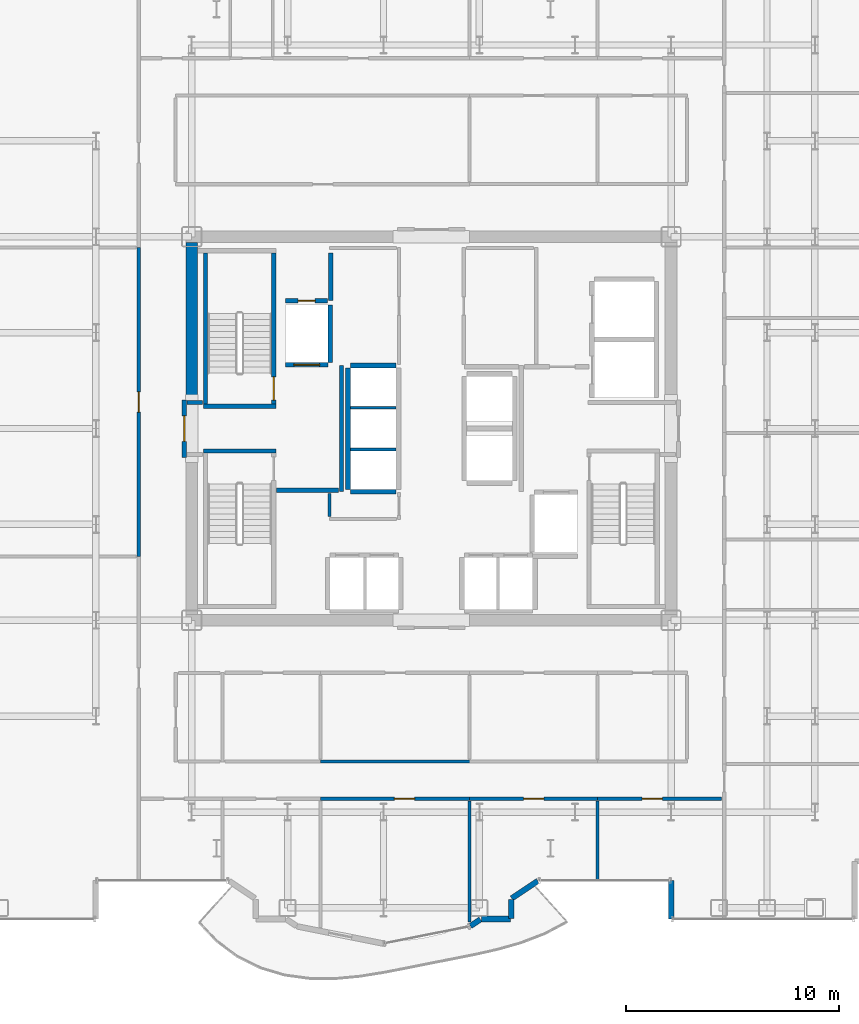
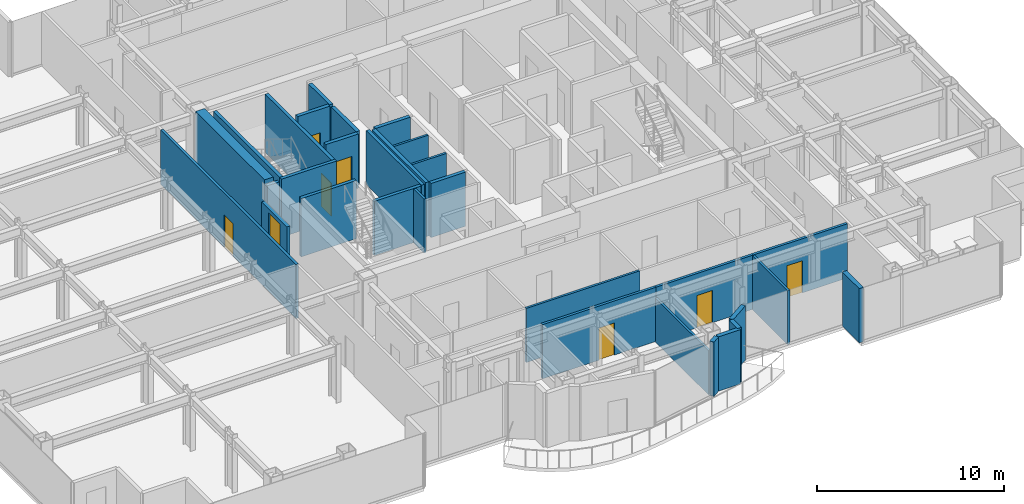
# One storey, part 16 of 22: 31 walls, 8 doors, 8 openings.
"""IFC4 building model written with IfcOpenShell, lengths in metres."""

from ifc_helpers import new_model, si_unit, direction, frame, frame_2d, origin, place, context, subcontext, project, spatial, rectangle, extrude, source, transform, mapped, material, layer, layer_set, type_object, element, fill, save


model = new_model("IFC4")

# Units and contexts
model_context = context("Model", 3, precision=1e-05, world=origin(), true_north=direction((0.0, 1.0)))
body_context = subcontext(model_context, "Body", "Model", "MODEL_VIEW")
ifc_project = project(units=[si_unit("LENGTHUNIT", "METRE"), si_unit("AREAUNIT", "SQUARE_METRE"), si_unit("VOLUMEUNIT", "CUBIC_METRE"), si_unit("PLANEANGLEUNIT", "RADIAN"), si_unit("MASSUNIT", "GRAM", prefix="KILO")], contexts=[model_context])

# Site, building, storey
site_placement = place(None, origin())
site = spatial("IfcSite", under=ifc_project, at=site_placement, CompositionType="ELEMENT")
building_placement = place(site_placement, origin())
building = spatial("IfcBuilding", under=site, at=building_placement, Name="Nefas-Gora Pilgrimage Tower", CompositionType="ELEMENT")
storey_placement = place(building_placement, frame((0.0, 0.0, 179.199951171875)))
storey = spatial("IfcBuildingStorey", under=building, at=storey_placement, Name="L44", CompositionType="ELEMENT", Elevation=179.199951171875)

# Walls
ifc_material_1 = material(Name="Concrete C60/75", Category="concrete")
ifc_layer_1 = layer(ifc_material_1, 0.550048828125)
ifc_layer_set_1 = layer_set([ifc_layer_1], Name="Concrete C60/75")
wall_type_1 = type_object("IfcWallType", Name="SW-CORE-550", PredefinedType="SHEAR", material=ifc_layer_set_1)
shared_shape_1 = source(origin(), body_context, "Body", "SweptSolid", [
    extrude(rectangle(XDim=7.375, YDim=0.550048828125, at=frame_2d((3.6875, 0.0))), origin(), (0.0, 0.0, 1.0), 3.800048828125),
])
wall_1_placement = place(storey_placement, frame((-11.25, 1.35009765625, 0.0), z_axis=(0.0, 0.0, 1.0), x_axis=(0.0, 1.0, 0.0)))
element("IfcWall", 1, at=wall_1_placement, inside=storey, type_object=wall_type_1, Name="L44 Core Shear Wall W-North", PredefinedType="SHEAR", context=body_context, shape_type="MappedRepresentation", body=[
    mapped(shared_shape_1, transform((0.0, 0.0, 0.0), x_axis=(1.0, 0.0, 0.0), y_axis=(0.0, 1.0, 0.0), z_axis=(0.0, 0.0, 1.0), scale=1.0)),
])
ifc_material_2 = material(Name="Precast concrete C40/50", Category="concrete")
ifc_layer_2 = layer(ifc_material_2, 0.260009765625)
ifc_layer_set_2 = layer_set([ifc_layer_2], Name="Precast concrete C40/50")
wall_type_2 = type_object("IfcWallType", Name="EW-PORTAL-260", PredefinedType="SOLIDWALL", material=ifc_layer_set_2)
shared_shape_2 = source(origin(), body_context, "Body", "SweptSolid", [
    extrude(rectangle(XDim=1.800048828125, YDim=0.260009765625, at=frame_2d((0.89990234375, 0.0))), origin(), (0.0, 0.0, 1.0), 3.550048828125),
])
wall_2_placement = place(storey_placement, frame((11.25, -21.219970703125, 0.0), z_axis=(0.0, 0.0, 1.0), x_axis=(0.0, -1.0, 0.0)))
element("IfcWall", 2, at=wall_2_placement, inside=storey, type_object=wall_type_2, Name="L44 Lobe Shoulder Precast Spandrel Pier 1", PredefinedType="SOLIDWALL", context=body_context, shape_type="MappedRepresentation", body=[
    mapped(shared_shape_2, transform((0.0, 0.0, 0.0), x_axis=(1.0, 0.0, 0.0), y_axis=(0.0, 1.0, 0.0), z_axis=(0.0, 0.0, 1.0), scale=1.0)),
])
shared_shape_3 = source(origin(), body_context, "Body", "SweptSolid", [
    extrude(rectangle(XDim=1.468994140625, YDim=0.260009765625, at=frame_2d((0.734375, 0.0))), origin(), (0.0, 0.0, 1.0), 3.550048828125),
])
wall_3_placement = place(storey_placement, frame((3.773193359375, -22.0517578125, 0.0), z_axis=(0.0, 0.0, 1.0), x_axis=(0.831461760506, 0.555581983884, 0.0)))
element("IfcWall", 3, at=wall_3_placement, inside=storey, type_object=wall_type_2, Name="L44 Lobe Shoulder Precast Spandrel Pier 38", PredefinedType="SOLIDWALL", context=body_context, shape_type="MappedRepresentation", body=[
    mapped(shared_shape_3, transform((0.0, 0.0, 0.0), x_axis=(1.0, 0.0, 0.0), y_axis=(0.0, 1.0, 0.0), z_axis=(0.0, 0.0, 1.0), scale=1.0)),
])
shared_shape_4 = source(origin(), body_context, "Body", "SweptSolid", [
    extrude(rectangle(XDim=0.896728515625, YDim=0.260009765625, at=frame_2d((0.4482421875, 0.0))), origin(), (0.0, 0.0, 1.0), 3.550048828125),
])
wall_4_placement = place(storey_placement, frame((3.75, -22.991943359375, 0.0), z_axis=(0.0, 0.0, 1.0), x_axis=(0.0, 1.0, 0.0)))
element("IfcWall", 4, at=wall_4_placement, inside=storey, type_object=wall_type_2, Name="L44 Lobe Shoulder Precast Spandrel Pier 37", PredefinedType="SOLIDWALL", context=body_context, shape_type="MappedRepresentation", body=[
    mapped(shared_shape_4, transform((0.0, 0.0, 0.0), x_axis=(1.0, 0.0, 0.0), y_axis=(0.0, 1.0, 0.0), z_axis=(0.0, 0.0, 1.0), scale=1.0)),
])
shared_shape_5 = source(origin(), body_context, "Body", "SweptSolid", [
    extrude(rectangle(XDim=1.369873046875, YDim=0.260009765625, at=frame_2d((0.68505859375, 0.0))), origin(), (0.0, 0.0, 1.0), 3.550048828125),
])
wall_5_placement = place(storey_placement, frame((2.35205078125, -23.02001953125, 0.0), z_axis=(0.0, 0.0, 1.0), x_axis=(1.0, 0.0, 0.0)))
element("IfcWall", 5, at=wall_5_placement, inside=storey, type_object=wall_type_2, Name="L44 Lobe Shoulder Precast Spandrel Pier 36", PredefinedType="SOLIDWALL", context=body_context, shape_type="MappedRepresentation", body=[
    mapped(shared_shape_5, transform((0.0, 0.0, 0.0), x_axis=(1.0, 0.0, 0.0), y_axis=(0.0, 1.0, 0.0), z_axis=(0.0, 0.0, 1.0), scale=1.0)),
])
shared_shape_6 = source(origin(), body_context, "Body", "SweptSolid", [
    extrude(rectangle(XDim=0.5654296875, YDim=0.260009765625, at=frame_2d((0.28271484375, 0.0))), origin(), (0.0, 0.0, 1.0), 3.550048828125),
])
wall_6_placement = place(storey_placement, frame((1.83056640625, -23.349609375, 0.0), z_axis=(0.0, 0.0, 1.0), x_axis=(0.831651492666, 0.555297933317, 0.0)))
element("IfcWall", 6, at=wall_6_placement, inside=storey, type_object=wall_type_2, Name="L44 Lobe Shoulder Precast Spandrel Pier 35", PredefinedType="SOLIDWALL", context=body_context, shape_type="MappedRepresentation", body=[
    mapped(shared_shape_6, transform((0.0, 0.0, 0.0), x_axis=(1.0, 0.0, 0.0), y_axis=(0.0, 1.0, 0.0), z_axis=(0.0, 0.0, 1.0), scale=1.0)),
])
ifc_material_3 = material(Name="Concrete C45/55", Category="concrete")
ifc_layer_3 = layer(ifc_material_3, 0.199951171875)
ifc_layer_set_3 = layer_set([ifc_layer_3], Name="Concrete C45/55")
wall_type_3 = type_object("IfcWallType", Name="IW-STAIR-200", PredefinedType="SOLIDWALL", material=ifc_layer_set_3)
shared_shape_7 = source(origin(), body_context, "Body", "SweptSolid", [
    extrude(rectangle(XDim=3.39990234375, YDim=0.199951171875, at=frame_2d((1.699951171875, 0.0))), origin(), (0.0, 0.0, 1.0), 3.800048828125),
])
for number, where, z_axis, x_axis, name in (
    (7, (-7.300048828125, 1.050048828125, 0.0), (0.0, 0.0, 1.0), (-1.0, 0.0, 0.0), "L44 Stairwell Shear Wall ST-01-near"),
    (8, (-10.699951171875, -1.050048828125, 0.0), (0.0, 0.0, 1.0), (1.0, 0.0, 0.0), "L44 Stairwell Shear Wall ST-03-near"),
):
    element("IfcWall", number, at=place(storey_placement, frame(where, z_axis=z_axis, x_axis=x_axis)), inside=storey, type_object=wall_type_3, Name=name, PredefinedType="SOLIDWALL", context=body_context, shape_type="MappedRepresentation", body=[
        mapped(shared_shape_7, transform((0.0, 0.0, 0.0), x_axis=(1.0, 0.0, 0.0), y_axis=(0.0, 1.0, 0.0), z_axis=(0.0, 0.0, 1.0), scale=1.0)),
    ])

# Wall, opening, door
shared_shape_8 = source(origin(), body_context, "Body", "SweptSolid", [
    extrude(rectangle(XDim=7.10009765625, YDim=0.199951171875, at=frame_2d((3.550048828125, 0.0))), origin(), (0.0, 0.0, 1.0), 3.800048828125),
])
wall_7_placement = place(storey_placement, frame((-7.39990234375, 1.14990234375, 0.0), z_axis=(0.0, 0.0, 1.0), x_axis=(0.0, 1.0, 0.0)))
wall_7 = element("IfcWall", 9, at=wall_7_placement, inside=storey, type_object=wall_type_3, Name="L44 Stairwell Shear Wall ST-01-left", PredefinedType="SOLIDWALL", context=body_context, shape_type="MappedRepresentation", body=[
    mapped(shared_shape_8, transform((0.0, 0.0, 0.0), x_axis=(1.0, 0.0, 0.0), y_axis=(0.0, 1.0, 0.0), z_axis=(0.0, 0.0, 1.0), scale=1.0)),
])
opening_1_placement = place(wall_7_placement, frame((0.179931640625, 0.0, 0.0)))
opening_1 = element("IfcOpeningElement", 10, at=opening_1_placement, cuts=wall_7, Name="Opening ID-ST1", PredefinedType="OPENING", context=body_context, shape_type="SweptSolid", body=[
    extrude(rectangle(XDim=1.10009765625, YDim=2.14990234375, at=frame_2d((0.550048828125, 1.074951171875))), frame((0.0, 0.10986328125, 0.0), z_axis=(0.0, -1.0, 0.0), x_axis=(1.0, 0.0, 0.0)), (0.0, 0.0, 1.0), 0.219970703125),
])
ifc_material_4 = material(Name="Painted galvanised steel fire stair door", Category="steel")
door_type_1 = type_object("IfcDoorType", Name="DR-INT-STAIR-1100", OperationType="NOTDEFINED", PredefinedType="DOOR", material=ifc_material_4)
shared_shape_9 = source(origin(), body_context, "Body", "SweptSolid", [
    extrude(rectangle(XDim=1.10009765625, YDim=2.14990234375, at=frame_2d((0.550048828125, 1.074951171875))), frame((0.0, 0.02490234375, 0.0), z_axis=(0.0, -1.0, 0.0), x_axis=(1.0, 0.0, 0.0)), (0.0, 0.0, 1.0), 0.050048828125),
])
door_1_placement = place(opening_1_placement, origin())
door_1 = element("IfcDoor", 11, at=door_1_placement, inside=storey, type_object=door_type_1, Name="L44 Protected Exit Stair Door ST-01", OperationType="SINGLE_SWING_RIGHT", OverallHeight=2.14990234375, OverallWidth=1.10009765625, PredefinedType="DOOR", context=body_context, shape_type="MappedRepresentation", body=[
    mapped(shared_shape_9, transform((0.0, 0.0, 0.0), x_axis=(1.0, 0.0, 0.0), y_axis=(0.0, 1.0, 0.0), z_axis=(0.0, 0.0, 1.0), scale=1.0)),
])
fill(opening_1, door_1)

# Wall
wall_8_placement = place(storey_placement, frame((-10.60009765625, 1.14990234375, 0.0), z_axis=(0.0, 0.0, 1.0), x_axis=(0.0, 1.0, 0.0)))
element("IfcWall", 12, at=wall_8_placement, inside=storey, type_object=wall_type_3, Name="L44 Stairwell Shear Wall ST-01-right", PredefinedType="SOLIDWALL", context=body_context, shape_type="MappedRepresentation", body=[
    mapped(shared_shape_8, transform((0.0, 0.0, 0.0), x_axis=(1.0, 0.0, 0.0), y_axis=(0.0, 1.0, 0.0), z_axis=(0.0, 0.0, 1.0), scale=1.0)),
])

# Wall, opening, door
ifc_material_5 = material(Name="Concrete C40/50", Category="concrete")
ifc_layer_4 = layer(ifc_material_5, 0.219970703125)
ifc_layer_set_4 = layer_set([ifc_layer_4], Name="Concrete C40/50")
wall_type_4 = type_object("IfcWallType", Name="IW-SHAFT-220", PredefinedType="SOLIDWALL", material=ifc_layer_set_4)
shared_shape_10 = source(origin(), body_context, "Body", "SweptSolid", [
    extrude(rectangle(XDim=2.0, YDim=0.219970703125, at=frame_2d((1.0, 0.0))), origin(), (0.0, 0.0, 1.0), 3.53515625),
])
wall_9_placement = place(storey_placement, frame((-6.85009765625, 2.989990234375, 0.0), z_axis=(0.0, 0.0, 1.0), x_axis=(1.0, 0.0, 0.0)))
wall_9 = element("IfcWall", 13, at=wall_9_placement, inside=storey, type_object=wall_type_4, Name="L44 Hoistway Wall FFL-01-S", PredefinedType="SOLIDWALL", context=body_context, shape_type="MappedRepresentation", body=[
    mapped(shared_shape_10, transform((0.0, 0.0, 0.0), x_axis=(1.0, 0.0, 0.0), y_axis=(0.0, 1.0, 0.0), z_axis=(0.0, 0.0, 1.0), scale=1.0)),
])
opening_2_placement = place(wall_9_placement, frame((0.39990234375, 0.0, 0.0)))
opening_2 = element("IfcOpeningElement", 14, at=opening_2_placement, cuts=wall_9, Name="Opening LD-FF", PredefinedType="OPENING", context=body_context, shape_type="SweptSolid", body=[
    extrude(rectangle(XDim=1.199951171875, YDim=2.199951171875, at=frame_2d((0.60009765625, 1.10009765625))), frame((0.0, 0.119873046875, 0.0), z_axis=(0.0, -1.0, 0.0), x_axis=(1.0, 0.0, 0.0)), (0.0, 0.0, 1.0), 0.239990234375),
])
ifc_material_6 = material(Name="Fire-service sliding lift landing door")
door_type_2 = type_object("IfcDoorType", Name="DR-LIFT-FSAE-1200", OperationType="SLIDING_TO_LEFT", PredefinedType="DOOR", material=ifc_material_6)
shared_shape_11 = source(origin(), body_context, "Body", "SweptSolid", [
    extrude(rectangle(XDim=1.199951171875, YDim=2.199951171875, at=frame_2d((0.60009765625, 1.10009765625))), frame((0.0, 0.02490234375, 0.0), z_axis=(0.0, -1.0, 0.0), x_axis=(1.0, 0.0, 0.0)), (0.0, 0.0, 1.0), 0.050048828125),
])
door_2_placement = place(opening_2_placement, origin())
door_2 = element("IfcDoor", 15, at=door_2_placement, inside=storey, type_object=door_type_2, Name="L44 Sliding Lift Landing Door FFL-01", OperationType="SLIDING_TO_LEFT", OverallHeight=2.199951171875, OverallWidth=1.199951171875, PredefinedType="DOOR", context=body_context, shape_type="MappedRepresentation", body=[
    mapped(shared_shape_11, transform((0.0, 0.0, 0.0), x_axis=(1.0, 0.0, 0.0), y_axis=(0.0, 1.0, 0.0), z_axis=(0.0, 0.0, 1.0), scale=1.0)),
])
fill(opening_2, door_2)

# Walls
shared_shape_12 = source(origin(), body_context, "Body", "SweptSolid", [
    extrude(rectangle(XDim=2.679931640625, YDim=0.219970703125, at=frame_2d((1.33984375, 0.0))), origin(), (0.0, 0.0, 1.0), 3.53515625),
])
wall_10_placement = place(storey_placement, frame((-4.739990234375, 3.110107421875, 0.0), z_axis=(0.0, 0.0, 1.0), x_axis=(0.0, 1.0, 0.0)))
element("IfcWall", 16, at=wall_10_placement, inside=storey, type_object=wall_type_4, Name="L44 Hoistway Wall FFL-01-E", PredefinedType="SOLIDWALL", context=body_context, shape_type="MappedRepresentation", body=[
    mapped(shared_shape_12, transform((0.0, 0.0, 0.0), x_axis=(1.0, 0.0, 0.0), y_axis=(0.0, 1.0, 0.0), z_axis=(0.0, 0.0, 1.0), scale=1.0)),
])
shared_shape_13 = source(origin(), body_context, "Body", "SweptSolid", [
    extrude(rectangle(XDim=5.7001953125, YDim=0.219970703125, at=frame_2d((2.85009765625, 0.0))), origin(), (0.0, 0.0, 1.0), 3.53515625),
])
wall_11_placement = place(storey_placement, frame((-3.909912109375, 2.85009765625, 0.0), z_axis=(0.0, 0.0, 1.0), x_axis=(0.0, -1.0, 0.0)))
element("IfcWall", 17, at=wall_11_placement, inside=storey, type_object=wall_type_4, Name="L44 Hoistway Wall PL3-01-03-W", PredefinedType="SOLIDWALL", context=body_context, shape_type="MappedRepresentation", body=[
    mapped(shared_shape_13, transform((0.0, 0.0, 0.0), x_axis=(1.0, 0.0, 0.0), y_axis=(0.0, 1.0, 0.0), z_axis=(0.0, 0.0, 1.0), scale=1.0)),
])
shared_shape_14 = source(origin(), body_context, "Body", "SweptSolid", [
    extrude(rectangle(XDim=2.130126953125, YDim=0.219970703125, at=frame_2d((1.06494140625, 0.0))), origin(), (0.0, 0.0, 1.0), 3.53515625),
])
for number, where, z_axis, x_axis, name in (
    (18, (-3.7900390625, -2.9599609375, 0.0), (0.0, 0.0, 1.0), (1.0, 0.0, 0.0), "L44 Hoistway Wall PL3-01-S"),
    (19, (-1.659912109375, 2.9599609375, 0.0), (0.0, 0.0, 1.0), (-1.0, 0.0, 0.0), "L44 Hoistway Wall PL3-03-N"),
):
    element("IfcWall", number, at=place(storey_placement, frame(where, z_axis=z_axis, x_axis=x_axis)), inside=storey, type_object=wall_type_4, Name=name, PredefinedType="SOLIDWALL", context=body_context, shape_type="MappedRepresentation", body=[
        mapped(shared_shape_14, transform((0.0, 0.0, 0.0), x_axis=(1.0, 0.0, 0.0), y_axis=(0.0, 1.0, 0.0), z_axis=(0.0, 0.0, 1.0), scale=1.0)),
    ])
ifc_material_7 = material(Name="Gypsum twin-stud partition")
ifc_layer_5 = layer(ifc_material_7, 0.139892578125)
ifc_layer_set_5 = layer_set([ifc_layer_5], Name="Gypsum twin-stud partition")
wall_type_5 = type_object("IfcWallType", Name="IW-UNIT-140", PredefinedType="PARTITIONING", material=ifc_layer_set_5)
shared_shape_15 = source(origin(), body_context, "Body", "SweptSolid", [
    extrude(rectangle(XDim=2.130126953125, YDim=0.139892578125, at=frame_2d((1.06494140625, 0.0))), origin(), (0.0, 0.0, 1.0), 3.53515625),
])
for number, where, z_axis, x_axis, name in (
    (20, (-3.7900390625, -0.97509765625, 0.0), (0.0, 0.0, 1.0), (1.0, 0.0, 0.0), "L44 Hoistway Wall PL3-01-02-DIV"),
    (21, (-3.7900390625, 0.97509765625, 0.0), (0.0, 0.0, 1.0), (1.0, 0.0, 0.0), "L44 Hoistway Wall PL3-02-03-DIV"),
):
    element("IfcWall", number, at=place(storey_placement, frame(where, z_axis=z_axis, x_axis=x_axis)), inside=storey, type_object=wall_type_5, Name=name, PredefinedType="PARTITIONING", context=body_context, shape_type="MappedRepresentation", body=[
        mapped(shared_shape_15, transform((0.0, 0.0, 0.0), x_axis=(1.0, 0.0, 0.0), y_axis=(0.0, 1.0, 0.0), z_axis=(0.0, 0.0, 1.0), scale=1.0)),
    ])

# Wall, opening, door
ifc_material_8 = material(Name="Gypsum fire-rated shaftwall")
ifc_layer_6 = layer(ifc_material_8, 0.199951171875)
ifc_layer_set_6 = layer_set([ifc_layer_6], Name="Gypsum fire-rated shaftwall")
wall_type_6 = type_object("IfcWallType", Name="IW-FFLOB-200", PredefinedType="PARTITIONING", material=ifc_layer_set_6)
shared_shape_16 = source(origin(), body_context, "Body", "SweptSolid", [
    extrude(rectangle(XDim=2.7001953125, YDim=0.199951171875, at=frame_2d((1.35009765625, 0.0))), origin(), (0.0, 0.0, 1.0), 2.425048828125),
])
wall_12_placement = place(storey_placement, frame((-11.60009765625, -1.35009765625, 0.0), z_axis=(0.0, 0.0, 1.0), x_axis=(0.0, 1.0, 0.0)))
wall_12 = element("IfcWall", 22, at=wall_12_placement, inside=storey, type_object=wall_type_6, Name="L44 FF Lobby West Portal Wall 4", PredefinedType="PARTITIONING", context=body_context, shape_type="MappedRepresentation", body=[
    mapped(shared_shape_16, transform((0.0, 0.0, 0.0), x_axis=(1.0, 0.0, 0.0), y_axis=(0.0, 1.0, 0.0), z_axis=(0.0, 0.0, 1.0), scale=1.0)),
])
opening_3_placement = place(wall_12_placement, frame((0.75, 0.0, 0.0)))
opening_3 = element("IfcOpeningElement", 23, at=opening_3_placement, cuts=wall_12, Name="Opening ID-FF1", PredefinedType="OPENING", context=body_context, shape_type="SweptSolid", body=[
    extrude(rectangle(XDim=1.199951171875, YDim=2.14990234375, at=frame_2d((0.60009765625, 1.074951171875))), frame((0.0, 0.10986328125, 0.0), z_axis=(0.0, -1.0, 0.0), x_axis=(1.0, 0.0, 0.0)), (0.0, 0.0, 1.0), 0.219970703125),
])
ifc_material_9 = material(Name="Smoke-sealed steel firefighting lobby door", Category="steel")
door_type_3 = type_object("IfcDoorType", Name="DR-INT-FFLOB-1200", OperationType="NOTDEFINED", PredefinedType="DOOR", material=ifc_material_9)
shared_shape_17 = source(origin(), body_context, "Body", "SweptSolid", [
    extrude(rectangle(XDim=1.199951171875, YDim=2.14990234375, at=frame_2d((0.60009765625, 1.074951171875))), frame((0.0, 0.02490234375, 0.0), z_axis=(0.0, -1.0, 0.0), x_axis=(1.0, 0.0, 0.0)), (0.0, 0.0, 1.0), 0.050048828125),
])
door_3_placement = place(opening_3_placement, origin())
door_3 = element("IfcDoor", 24, at=door_3_placement, inside=storey, type_object=door_type_3, Name="L44 FF Lobby West Portal Door 2", OperationType="SINGLE_SWING_LEFT", OverallHeight=2.14990234375, OverallWidth=1.199951171875, PredefinedType="DOOR", context=body_context, shape_type="MappedRepresentation", body=[
    mapped(shared_shape_17, transform((0.0, 0.0, 0.0), x_axis=(1.0, 0.0, 0.0), y_axis=(0.0, 1.0, 0.0), z_axis=(0.0, 0.0, 1.0), scale=1.0)),
])
fill(opening_3, door_3)

# Walls
shared_shape_18 = source(origin(), body_context, "Body", "SweptSolid", [
    extrude(rectangle(XDim=5.89990234375, YDim=0.199951171875, at=frame_2d((2.949951171875, 0.0))), origin(), (0.0, 0.0, 1.0), 3.53515625),
])
wall_13_placement = place(storey_placement, frame((-4.219970703125, -2.949951171875, 0.0), z_axis=(0.0, 0.0, 1.0), x_axis=(0.0, 1.0, 0.0)))
element("IfcWall", 25, at=wall_13_placement, inside=storey, type_object=wall_type_6, Name="L44 FF Lobby West Inner Wall Wall 5", PredefinedType="PARTITIONING", context=body_context, shape_type="MappedRepresentation", body=[
    mapped(shared_shape_18, transform((0.0, 0.0, 0.0), x_axis=(1.0, 0.0, 0.0), y_axis=(0.0, 1.0, 0.0), z_axis=(0.0, 0.0, 1.0), scale=1.0)),
])
shared_shape_19 = source(origin(), body_context, "Body", "SweptSolid", [
    extrude(rectangle(XDim=2.89990234375, YDim=0.199951171875, at=frame_2d((1.449951171875, 0.0))), origin(), (0.0, 0.0, 1.0), 3.53515625),
])
wall_14_placement = place(storey_placement, frame((-7.260009765625, -2.89990234375, 0.0), z_axis=(0.0, 0.0, 1.0), x_axis=(1.0, 0.0, 0.0)))
element("IfcWall", 26, at=wall_14_placement, inside=storey, type_object=wall_type_6, Name="L44 FF Lobby West South Wall Wall 6", PredefinedType="PARTITIONING", context=body_context, shape_type="MappedRepresentation", body=[
    mapped(shared_shape_19, transform((0.0, 0.0, 0.0), x_axis=(1.0, 0.0, 0.0), y_axis=(0.0, 1.0, 0.0), z_axis=(0.0, 0.0, 1.0), scale=1.0)),
])
shared_shape_20 = source(origin(), body_context, "Body", "SweptSolid", [
    extrude(rectangle(XDim=0.719970703125, YDim=0.199951171875, at=frame_2d((0.35986328125, 0.0))), origin(), (0.0, 0.0, 1.0), 3.53515625),
])
wall_15_placement = place(storey_placement, frame((-11.4599609375, 1.219970703125, 0.0), z_axis=(0.0, 0.0, 1.0), x_axis=(1.0, 0.0, 0.0)))
element("IfcWall", 27, at=wall_15_placement, inside=storey, type_object=wall_type_6, Name="L44 FF Lobby West Throat N Wall 7", PredefinedType="PARTITIONING", context=body_context, shape_type="MappedRepresentation", body=[
    mapped(shared_shape_20, transform((0.0, 0.0, 0.0), x_axis=(1.0, 0.0, 0.0), y_axis=(0.0, 1.0, 0.0), z_axis=(0.0, 0.0, 1.0), scale=1.0)),
])

# Wall, opening, door
ifc_material_10 = material(Name="Gypsum acoustic stud partition")
ifc_layer_7 = layer(ifc_material_10, 0.159912109375)
ifc_layer_set_7 = layer_set([ifc_layer_7], Name="Gypsum acoustic stud partition")
wall_type_7 = type_object("IfcWallType", Name="IW-CORR-160", PredefinedType="PARTITIONING", material=ifc_layer_set_7)
shared_shape_21 = source(origin(), body_context, "Body", "SweptSolid", [
    extrude(rectangle(XDim=6.010009765625, YDim=0.159912109375, at=frame_2d((3.0048828125, 0.0))), origin(), (0.0, 0.0, 1.0), 3.53515625),
])
wall_16_placement = place(storey_placement, frame((1.794921875, -17.3701171875, 0.0), z_axis=(0.0, 0.0, 1.0), x_axis=(1.0, 0.0, 0.0)))
wall_16 = element("IfcWall", 28, at=wall_16_placement, inside=storey, type_object=wall_type_7, Name="L44 Pilgrim Contemplative Lounge Partition Wall 80", PredefinedType="PARTITIONING", context=body_context, shape_type="MappedRepresentation", body=[
    mapped(shared_shape_21, transform((0.0, 0.0, 0.0), x_axis=(1.0, 0.0, 0.0), y_axis=(0.0, 1.0, 0.0), z_axis=(0.0, 0.0, 1.0), scale=1.0)),
])
opening_4_placement = place(wall_16_placement, frame((2.530029296875, 0.0, 0.0)))
opening_4 = element("IfcOpeningElement", 29, at=opening_4_placement, cuts=wall_16, Name="Opening ID-GR1", PredefinedType="OPENING", context=body_context, shape_type="SweptSolid", body=[
    extrude(rectangle(XDim=0.949951171875, YDim=2.10009765625, at=frame_2d((0.47509765625, 1.050048828125))), frame((0.0, 0.08984375, 0.0), z_axis=(0.0, -1.0, 0.0), x_axis=(1.0, 0.0, 0.0)), (0.0, 0.0, 1.0), 0.179931640625),
])
ifc_material_11 = material(Name="Solid core oak fire-rated guest entrance door")
door_type_4 = type_object("IfcDoorType", Name="DR-INT-GUEST-950", OperationType="NOTDEFINED", PredefinedType="DOOR", material=ifc_material_11)
shared_shape_22 = source(origin(), body_context, "Body", "SweptSolid", [
    extrude(rectangle(XDim=0.949951171875, YDim=2.10009765625, at=frame_2d((0.47509765625, 1.050048828125))), frame((0.0, 0.02490234375, 0.0), z_axis=(0.0, -1.0, 0.0), x_axis=(1.0, 0.0, 0.0)), (0.0, 0.0, 1.0), 0.050048828125),
])
door_4_placement = place(opening_4_placement, origin())
door_4 = element("IfcDoor", 30, at=door_4_placement, inside=storey, type_object=door_type_4, Name="L44 Pilgrim Contemplative Lounge Door 35", OperationType="SINGLE_SWING_RIGHT", OverallHeight=2.10009765625, OverallWidth=0.949951171875, PredefinedType="DOOR", context=body_context, shape_type="MappedRepresentation", body=[
    mapped(shared_shape_22, transform((0.0, 0.0, 0.0), x_axis=(1.0, 0.0, 0.0), y_axis=(0.0, 1.0, 0.0), z_axis=(0.0, 0.0, 1.0), scale=1.0)),
])
fill(opening_4, door_4)

shared_shape_23 = source(origin(), body_context, "Body", "SweptSolid", [
    extrude(rectangle(XDim=5.8251953125, YDim=0.159912109375, at=frame_2d((2.91259765625, 0.0))), origin(), (0.0, 0.0, 1.0), 3.53515625),
])
wall_17_placement = place(storey_placement, frame((7.794921875, -17.3701171875, 0.0), z_axis=(0.0, 0.0, 1.0), x_axis=(1.0, 0.0, 0.0)))
wall_17 = element("IfcWall", 31, at=wall_17_placement, inside=storey, type_object=wall_type_7, Name="L44 Pilgrim Contemplative Lounge Partition Wall 85", PredefinedType="PARTITIONING", context=body_context, shape_type="MappedRepresentation", body=[
    mapped(shared_shape_23, transform((0.0, 0.0, 0.0), x_axis=(1.0, 0.0, 0.0), y_axis=(0.0, 1.0, 0.0), z_axis=(0.0, 0.0, 1.0), scale=1.0)),
])
opening_5_placement = place(wall_17_placement, frame((2.09228515625, 0.0, 0.0)))
opening_5 = element("IfcOpeningElement", 32, at=opening_5_placement, cuts=wall_17, Name="Opening ID-GR1", PredefinedType="OPENING", context=body_context, shape_type="SweptSolid", body=[
    extrude(rectangle(XDim=0.949951171875, YDim=2.10009765625, at=frame_2d((0.47509765625, 1.050048828125))), frame((0.0, 0.08984375, 0.0), z_axis=(0.0, -1.0, 0.0), x_axis=(1.0, 0.0, 0.0)), (0.0, 0.0, 1.0), 0.179931640625),
])
door_5_placement = place(opening_5_placement, origin())
door_5 = element("IfcDoor", 33, at=door_5_placement, inside=storey, type_object=door_type_4, Name="L44 Pilgrim Contemplative Lounge Door 37", OperationType="SINGLE_SWING_RIGHT", OverallHeight=2.10009765625, OverallWidth=0.949951171875, PredefinedType="DOOR", context=body_context, shape_type="MappedRepresentation", body=[
    mapped(shared_shape_22, transform((0.0, 0.0, 0.0), x_axis=(1.0, 0.0, 0.0), y_axis=(0.0, 1.0, 0.0), z_axis=(0.0, 0.0, 1.0), scale=1.0)),
])
fill(opening_5, door_5)

# Wall
shared_shape_24 = source(origin(), body_context, "Body", "SweptSolid", [
    extrude(rectangle(XDim=2.25, YDim=0.219970703125, at=frame_2d((1.125, 0.0))), origin(), (0.0, 0.0, 1.0), 3.53515625),
])
wall_18_placement = place(storey_placement, frame((-4.719970703125, 6.0, 0.0), z_axis=(0.0, 0.0, 1.0), x_axis=(0.0, 1.0, 0.0)))
element("IfcWall", 34, at=wall_18_placement, inside=storey, type_object=wall_type_4, Name="L44 Riser Shaft Wall 1", PredefinedType="SOLIDWALL", context=body_context, shape_type="MappedRepresentation", body=[
    mapped(shared_shape_24, transform((0.0, 0.0, 0.0), x_axis=(1.0, 0.0, 0.0), y_axis=(0.0, 1.0, 0.0), z_axis=(0.0, 0.0, 1.0), scale=1.0)),
])

# Wall, opening, door
shared_shape_25 = source(origin(), body_context, "Body", "SweptSolid", [
    extrude(rectangle(XDim=1.97998046875, YDim=0.219970703125, at=frame_2d((0.989990234375, 0.0))), origin(), (0.0, 0.0, 1.0), 3.53515625),
])
wall_19_placement = place(storey_placement, frame((-6.85009765625, 6.0, 0.0), z_axis=(0.0, 0.0, 1.0), x_axis=(1.0, 0.0, 0.0)))
wall_19 = element("IfcWall", 35, at=wall_19_placement, inside=storey, type_object=wall_type_4, Name="L44 Riser Shaft Wall 2", PredefinedType="SOLIDWALL", context=body_context, shape_type="MappedRepresentation", body=[
    mapped(shared_shape_25, transform((0.0, 0.0, 0.0), x_axis=(1.0, 0.0, 0.0), y_axis=(0.0, 1.0, 0.0), z_axis=(0.0, 0.0, 1.0), scale=1.0)),
])
opening_6_placement = place(wall_19_placement, frame((0.590087890625, 0.0, 0.0)))
opening_6 = element("IfcOpeningElement", 36, at=opening_6_placement, cuts=wall_19, Name="Opening ID-TR1", PredefinedType="OPENING", context=body_context, shape_type="SweptSolid", body=[
    extrude(rectangle(XDim=0.800048828125, YDim=2.0, at=frame_2d((0.39990234375, 1.0))), frame((0.0, 0.119873046875, 0.0), z_axis=(0.0, -1.0, 0.0), x_axis=(1.0, 0.0, 0.0)), (0.0, 0.0, 1.0), 0.239990234375),
])
ifc_material_12 = material(Name="Riser maintenance fire access door")
door_type_5 = type_object("IfcDoorType", Name="DR-INT-TRAP-800", OperationType="NOTDEFINED", PredefinedType="TRAPDOOR", material=ifc_material_12)
shared_shape_26 = source(origin(), body_context, "Body", "SweptSolid", [
    extrude(rectangle(XDim=0.800048828125, YDim=2.0, at=frame_2d((0.39990234375, 1.0))), frame((0.0, 0.02490234375, 0.0), z_axis=(0.0, -1.0, 0.0), x_axis=(1.0, 0.0, 0.0)), (0.0, 0.0, 1.0), 0.050048828125),
])
door_6_placement = place(opening_6_placement, origin())
door_6 = element("IfcDoor", 37, at=door_6_placement, inside=storey, type_object=door_type_5, Name="L44 Riser Shaft Door 1", OperationType="SINGLE_SWING_RIGHT", OverallHeight=2.0, OverallWidth=0.800048828125, PredefinedType="TRAPDOOR", context=body_context, shape_type="MappedRepresentation", body=[
    mapped(shared_shape_26, transform((0.0, 0.0, 0.0), x_axis=(1.0, 0.0, 0.0), y_axis=(0.0, 1.0, 0.0), z_axis=(0.0, 0.0, 1.0), scale=1.0)),
])
fill(opening_6, door_6)

# Walls
shared_shape_27 = source(origin(), body_context, "Body", "SweptSolid", [
    extrude(rectangle(XDim=1.099853515625, YDim=0.139892578125, at=frame_2d((0.5498046875, 0.0))), origin(), (0.0, 0.0, 1.0), 3.53515625),
])
wall_20_placement = place(storey_placement, frame((-4.780029296875, -4.139892578125, 0.0), z_axis=(0.0, 0.0, 1.0), x_axis=(0.0, 1.0, 0.0)))
element("IfcWall", 38, at=wall_20_placement, inside=storey, type_object=wall_type_5, Name="L44 Pilgrim Baggage and Gear Vault Partition Wall 22", PredefinedType="PARTITIONING", context=body_context, shape_type="MappedRepresentation", body=[
    mapped(shared_shape_27, transform((0.0, 0.0, 0.0), x_axis=(1.0, 0.0, 0.0), y_axis=(0.0, 1.0, 0.0), z_axis=(0.0, 0.0, 1.0), scale=1.0)),
])
shared_shape_28 = source(origin(), body_context, "Body", "SweptSolid", [
    extrude(rectangle(XDim=3.75, YDim=0.139892578125, at=frame_2d((1.875, 0.0))), origin(), (0.0, 0.0, 1.0), 3.53515625),
])
wall_21_placement = place(storey_placement, frame((7.794921875, -21.239990234375, 0.0), z_axis=(0.0, 0.0, 1.0), x_axis=(0.0, 1.0, 0.0)))
element("IfcWall", 39, at=wall_21_placement, inside=storey, type_object=wall_type_5, Name="L44 Pilgrim Contemplative Lounge Partition Wall 81", PredefinedType="PARTITIONING", context=body_context, shape_type="MappedRepresentation", body=[
    mapped(shared_shape_28, transform((0.0, 0.0, 0.0), x_axis=(1.0, 0.0, 0.0), y_axis=(0.0, 1.0, 0.0), z_axis=(0.0, 0.0, 1.0), scale=1.0)),
])
shared_shape_29 = source(origin(), body_context, "Body", "SweptSolid", [
    extrude(rectangle(XDim=5.681396484375, YDim=0.139892578125, at=frame_2d((2.8408203125, 0.0))), origin(), (0.0, 0.0, 1.0), 2.875),
])
wall_22_placement = place(storey_placement, frame((1.794921875, -23.17138671875, 0.0), z_axis=(0.0, 0.0, 1.0), x_axis=(0.0, 1.0, 0.0)))
element("IfcWall", 40, at=wall_22_placement, inside=storey, type_object=wall_type_5, Name="L44 Pilgrim Contemplative Lounge Partition Wall 76", PredefinedType="PARTITIONING", context=body_context, shape_type="MappedRepresentation", body=[
    mapped(shared_shape_29, transform((0.0, 0.0, 0.0), x_axis=(1.0, 0.0, 0.0), y_axis=(0.0, 1.0, 0.0), z_axis=(0.0, 0.0, 1.0), scale=1.0)),
])

# Wall, opening, door
shared_shape_30 = source(origin(), body_context, "Body", "SweptSolid", [
    extrude(rectangle(XDim=14.492431640625, YDim=0.159912109375, at=frame_2d((7.24609375, 0.0))), origin(), (0.0, 0.0, 1.0), 3.53515625),
])
wall_23_placement = place(storey_placement, frame((-13.739990234375, -6.0048828125, 0.0), z_axis=(0.0, 0.0, 1.0), x_axis=(0.0, 1.0, 0.0)))
wall_23 = element("IfcWall", 41, at=wall_23_placement, inside=storey, type_object=wall_type_7, Name="L44 Pilgrim Tea and Beverage Pantry Partition Wall 32", PredefinedType="PARTITIONING", context=body_context, shape_type="MappedRepresentation", body=[
    mapped(shared_shape_30, transform((0.0, 0.0, 0.0), x_axis=(1.0, 0.0, 0.0), y_axis=(0.0, 1.0, 0.0), z_axis=(0.0, 0.0, 1.0), scale=1.0)),
])
opening_7_placement = place(wall_23_placement, frame((6.771240234375, 0.0, 0.0)))
opening_7 = element("IfcOpeningElement", 42, at=opening_7_placement, cuts=wall_23, Name="Opening ID-GR1", PredefinedType="OPENING", context=body_context, shape_type="SweptSolid", body=[
    extrude(rectangle(XDim=0.949951171875, YDim=2.10009765625, at=frame_2d((0.47509765625, 1.050048828125))), frame((0.0, 0.08984375, 0.0), z_axis=(0.0, -1.0, 0.0), x_axis=(1.0, 0.0, 0.0)), (0.0, 0.0, 1.0), 0.179931640625),
])
door_7_placement = place(opening_7_placement, origin())
door_7 = element("IfcDoor", 43, at=door_7_placement, inside=storey, type_object=door_type_4, Name="L44 Pilgrim Tea and Beverage Pantry Door 13", OperationType="SINGLE_SWING_RIGHT", OverallHeight=2.10009765625, OverallWidth=0.949951171875, PredefinedType="DOOR", context=body_context, shape_type="MappedRepresentation", body=[
    mapped(shared_shape_22, transform((0.0, 0.0, 0.0), x_axis=(1.0, 0.0, 0.0), y_axis=(0.0, 1.0, 0.0), z_axis=(0.0, 0.0, 1.0), scale=1.0)),
])
fill(opening_7, door_7)

shared_shape_31 = source(origin(), body_context, "Body", "SweptSolid", [
    extrude(rectangle(XDim=7.010009765625, YDim=0.159912109375, at=frame_2d((3.5048828125, 0.0))), origin(), (0.0, 0.0, 1.0), 3.53515625),
])
wall_24_placement = place(storey_placement, frame((-5.205078125, -17.3701171875, 0.0), z_axis=(0.0, 0.0, 1.0), x_axis=(1.0, 0.0, 0.0)))
wall_24 = element("IfcWall", 44, at=wall_24_placement, inside=storey, type_object=wall_type_7, Name="L44 Pilgrim Contemplative Lounge Partition Wall 75", PredefinedType="PARTITIONING", context=body_context, shape_type="MappedRepresentation", body=[
    mapped(shared_shape_31, transform((0.0, 0.0, 0.0), x_axis=(1.0, 0.0, 0.0), y_axis=(0.0, 1.0, 0.0), z_axis=(0.0, 0.0, 1.0), scale=1.0)),
])
opening_8_placement = place(wall_24_placement, frame((3.469970703125, 0.0, 0.0)))
opening_8 = element("IfcOpeningElement", 45, at=opening_8_placement, cuts=wall_24, Name="Opening ID-GR1", PredefinedType="OPENING", context=body_context, shape_type="SweptSolid", body=[
    extrude(rectangle(XDim=0.949951171875, YDim=2.10009765625, at=frame_2d((0.47509765625, 1.050048828125))), frame((0.0, 0.08984375, 0.0), z_axis=(0.0, -1.0, 0.0), x_axis=(1.0, 0.0, 0.0)), (0.0, 0.0, 1.0), 0.179931640625),
])
door_8_placement = place(opening_8_placement, origin())
door_8 = element("IfcDoor", 46, at=door_8_placement, inside=storey, type_object=door_type_4, Name="L44 Pilgrim Contemplative Lounge Door 33", OperationType="SINGLE_SWING_RIGHT", OverallHeight=2.10009765625, OverallWidth=0.949951171875, PredefinedType="DOOR", context=body_context, shape_type="MappedRepresentation", body=[
    mapped(shared_shape_22, transform((0.0, 0.0, 0.0), x_axis=(1.0, 0.0, 0.0), y_axis=(0.0, 1.0, 0.0), z_axis=(0.0, 0.0, 1.0), scale=1.0)),
])
fill(opening_8, door_8)

# Wall
shared_shape_32 = source(origin(), body_context, "Body", "SweptSolid", [
    extrude(rectangle(XDim=7.010009765625, YDim=0.139892578125, at=frame_2d((3.5048828125, 0.0))), origin(), (0.0, 0.0, 1.0), 3.53515625),
])
wall_25_placement = place(storey_placement, frame((-5.205078125, -15.6298828125, 0.0), z_axis=(0.0, 0.0, 1.0), x_axis=(1.0, 0.0, 0.0)))
element("IfcWall", 47, at=wall_25_placement, inside=storey, type_object=wall_type_5, Name="L44 Pilgrim Contemplative Lounge Partition Wall 78", PredefinedType="PARTITIONING", context=body_context, shape_type="MappedRepresentation", body=[
    mapped(shared_shape_32, transform((0.0, 0.0, 0.0), x_axis=(1.0, 0.0, 0.0), y_axis=(0.0, 1.0, 0.0), z_axis=(0.0, 0.0, 1.0), scale=1.0)),
])

save(model, "model.ifc")
